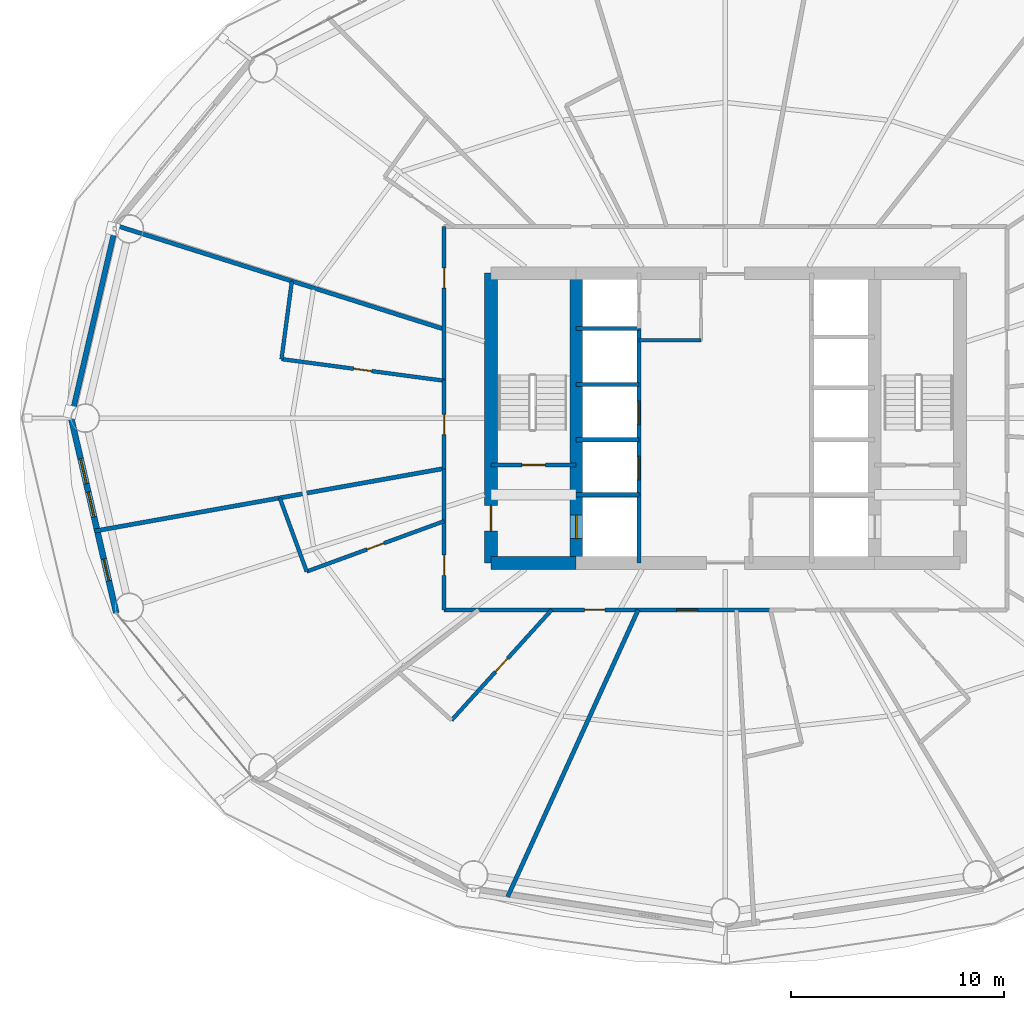
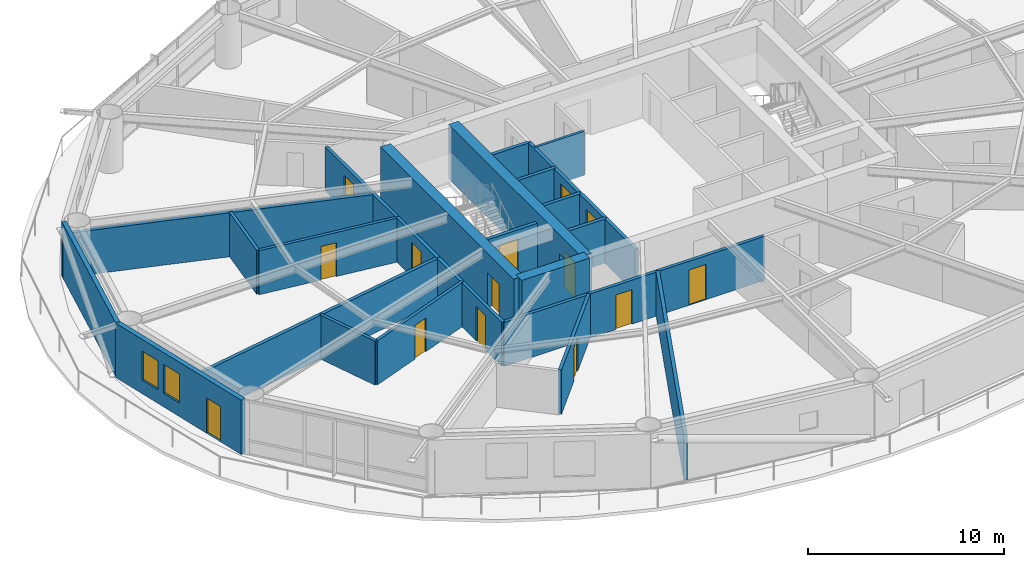
# One storey, part 20 of 26: 25 walls, 14 doors, 2 windows, 16 openings.
"""IFC4 building model written with IfcOpenShell, lengths in metres."""

from ifc_helpers import new_model, si_unit, direction, frame, frame_2d, origin, place, context, subcontext, project, spatial, rectangle, extrude, material, layer, layer_set, type_object, element, fill, save


model = new_model("IFC4")

# Units and contexts
model_context = context("Model", 3, precision=1e-05, world=origin(), true_north=direction((0.0, 1.0)))
body_context = subcontext(model_context, "Body", "Model", "MODEL_VIEW")
ifc_project = project(units=[si_unit("LENGTHUNIT", "METRE"), si_unit("AREAUNIT", "SQUARE_METRE"), si_unit("VOLUMEUNIT", "CUBIC_METRE"), si_unit("PLANEANGLEUNIT", "RADIAN"), si_unit("MASSUNIT", "GRAM", prefix="KILO")], contexts=[model_context])

# Site, building, storey
site_placement = place(None, origin())
site = spatial("IfcSite", under=ifc_project, at=site_placement, CompositionType="ELEMENT")
building_placement = place(site_placement, origin())
building = spatial("IfcBuilding", under=site, at=building_placement, Name="Sarneth Arch Tower", CompositionType="ELEMENT")
storey_placement = place(building_placement, frame((0.0, 0.0, 57.0)))
storey = spatial("IfcBuildingStorey", under=building, at=storey_placement, Name="L13", CompositionType="ELEMENT", Elevation=57.0)

# Wall
ifc_material_1 = material(Name="Concrete C60/75", Category="concrete")
ifc_layer_1 = layer(ifc_material_1, 0.60009765625)
ifc_layer_set_1 = layer_set([ifc_layer_1], Name="Concrete C60/75")
wall_type_1 = type_object("IfcWallType", Name="WALL-CORE-600", PredefinedType="SHEAR", material=ifc_layer_set_1)
wall_1_placement = place(storey_placement, frame((37.0, 35.199951171875, 0.0), z_axis=(0.0, 0.0, 1.0), x_axis=(1.0, 0.0, 0.0)))
element("IfcWall", 1, at=wall_1_placement, inside=storey, type_object=wall_type_1, Name="L13 Core shear wall S-W", PredefinedType="SHEAR", context=body_context, shape_type="SweptSolid", body=[
    extrude(rectangle(XDim=4.0, YDim=0.60009765625, at=frame_2d((2.0, 0.0))), origin(), (0.0, 0.0, 1.0), 3.3798828125),
])

# Wall, opening, door
wall_2_placement = place(storey_placement, frame((37.0, 35.199951171875, 0.0), z_axis=(0.0, 0.0, 1.0), x_axis=(0.0, 1.0, 0.0)))
wall_2 = element("IfcWall", 2, at=wall_2_placement, inside=storey, type_object=wall_type_1, Name="L13 Core shear wall W", PredefinedType="SHEAR", context=body_context, shape_type="SweptSolid", body=[
    extrude(rectangle(XDim=13.60009765625, YDim=0.60009765625, at=frame_2d((6.800048828125, 0.0))), origin(), (0.0, 0.0, 1.0), 3.3798828125),
])
opening_1_placement = place(wall_2_placement, frame((1.5, 0.0, 0.0)))
opening_1 = element("IfcOpeningElement", 3, at=opening_1_placement, cuts=wall_2, Name="Opening FD-02", PredefinedType="OPENING", context=body_context, shape_type="SweptSolid", body=[
    extrude(rectangle(XDim=1.199951171875, YDim=2.14990234375, at=frame_2d((0.60009765625, 1.074951171875))), frame((0.0, 0.31005859375, 0.0), z_axis=(0.0, -1.0, 0.0), x_axis=(1.0, 0.0, 0.0)), (0.0, 0.0, 1.0), 0.6201171875),
])
ifc_material_2 = material(Name="Galvanised Steel S275 fire door set", Category="steel")
door_type_1 = type_object("IfcDoorType", Name="DR-FD90-1200", OperationType="SINGLE_SWING_LEFT", PredefinedType="DOOR", material=ifc_material_2)
door_1_placement = place(opening_1_placement, origin())
door_1 = element("IfcDoor", 4, at=door_1_placement, inside=storey, type_object=door_type_1, Name="L13 Firefighting lobby 1 exit door", OperationType="SINGLE_SWING_LEFT", OverallHeight=2.14990234375, OverallWidth=1.199951171875, PredefinedType="DOOR", context=body_context, shape_type="SweptSolid", body=[
    extrude(rectangle(XDim=1.199951171875, YDim=2.14990234375, at=frame_2d((0.60009765625, 1.074951171875))), frame((0.0, 0.02490234375, 0.0), z_axis=(0.0, -1.0, 0.0), x_axis=(1.0, 0.0, 0.0)), (0.0, 0.0, 1.0), 0.050048828125),
])
fill(opening_1, door_1)

wall_3_placement = place(storey_placement, frame((41.0, 35.199951171875, 0.0), z_axis=(0.0, 0.0, 1.0), x_axis=(0.0, 1.0, 0.0)))
wall_3 = element("IfcWall", 5, at=wall_3_placement, inside=storey, type_object=wall_type_1, Name="L13 Core shear wall WEB-W", PredefinedType="SHEAR", context=body_context, shape_type="SweptSolid", body=[
    extrude(rectangle(XDim=13.60009765625, YDim=0.60009765625, at=frame_2d((6.800048828125, 0.0))), origin(), (0.0, 0.0, 1.0), 3.3798828125),
])
opening_2_placement = place(wall_3_placement, frame((1.14990234375, 0.0, 0.0)))
opening_2 = element("IfcOpeningElement", 6, at=opening_2_placement, cuts=wall_3, Name="Opening LD-1", PredefinedType="OPENING", context=body_context, shape_type="SweptSolid", body=[
    extrude(rectangle(XDim=1.10009765625, YDim=2.199951171875, at=frame_2d((0.550048828125, 1.10009765625))), frame((0.0, 0.31005859375, 0.0), z_axis=(0.0, -1.0, 0.0), x_axis=(1.0, 0.0, 0.0)), (0.0, 0.0, 1.0), 0.6201171875),
])
ifc_material_3 = material(Name="Brushed Stainless Steel 304 lift landing door", Category="steel")
door_type_2 = type_object("IfcDoorType", Name="DR-LIFT-SLIDE-1100", OperationType="SLIDING_TO_LEFT", PredefinedType="DOOR", material=ifc_material_3)
door_2_placement = place(opening_2_placement, origin())
door_2 = element("IfcDoor", 7, at=door_2_placement, inside=storey, type_object=door_type_2, Name="L13 Firefighting lift landing door FL-1", OperationType="SLIDING_TO_LEFT", OverallHeight=2.199951171875, OverallWidth=1.10009765625, PredefinedType="DOOR", context=body_context, shape_type="SweptSolid", body=[
    extrude(rectangle(XDim=1.10009765625, YDim=2.199951171875, at=frame_2d((0.550048828125, 1.10009765625))), frame((0.0, 0.02490234375, 0.0), z_axis=(0.0, -1.0, 0.0), x_axis=(1.0, 0.0, 0.0)), (0.0, 0.0, 1.0), 0.050048828125),
])
fill(opening_2, door_2)

ifc_material_4 = material(Name="Double steel-stud corridor fire wall", Category="steel")
ifc_layer_2 = layer(ifc_material_4, 0.18994140625)
ifc_layer_set_2 = layer_set([ifc_layer_2], Name="Double steel-stud corridor fire wall")
wall_type_2 = type_object("IfcWallType", Name="WALL-CORR-190", PredefinedType="PARTITIONING", material=ifc_layer_set_2)
wall_4_placement = place(storey_placement, frame((34.800048828125, 43.7216796875, 0.0), z_axis=(0.0, 0.0, 1.0), x_axis=(0.0, 1.0, 0.0)))
wall_4 = element("IfcWall", 8, at=wall_4_placement, inside=storey, type_object=wall_type_2, Name="L13 Interior partition W-L13-TP-008", PredefinedType="PARTITIONING", context=body_context, shape_type="SweptSolid", body=[
    extrude(rectangle(XDim=7.2783203125, YDim=0.18994140625, at=frame_2d((3.63916015625, 0.0))), origin(), (0.0, 0.0, 1.0), 2.739990234375),
])
opening_3_placement = place(wall_4_placement, frame((4.372314453125, 0.0, 0.0)))
opening_3 = element("IfcOpeningElement", 9, at=opening_3_placement, cuts=wall_4, Name="Opening FD-09", PredefinedType="OPENING", context=body_context, shape_type="SweptSolid", body=[
    extrude(rectangle(XDim=0.949951171875, YDim=2.14990234375, at=frame_2d((0.47509765625, 1.074951171875))), frame((0.0, 0.10498046875, 0.0), z_axis=(0.0, -1.0, 0.0), x_axis=(1.0, 0.0, 0.0)), (0.0, 0.0, 1.0), 0.2099609375),
])
ifc_material_5 = material(Name="Hardwood timber hotel entrance fire door", Category="wood")
door_type_3 = type_object("IfcDoorType", Name="DR-FD60-950", OperationType="SINGLE_SWING_RIGHT", PredefinedType="DOOR", material=ifc_material_5)
door_3_placement = place(opening_3_placement, origin())
door_3 = element("IfcDoor", 10, at=door_3_placement, inside=storey, type_object=door_type_3, Name="L13 Interior door DR-L13-KEY-05", OperationType="SINGLE_SWING_RIGHT", OverallHeight=2.14990234375, OverallWidth=0.949951171875, PredefinedType="DOOR", context=body_context, shape_type="SweptSolid", body=[
    extrude(rectangle(XDim=0.949951171875, YDim=2.14990234375, at=frame_2d((0.47509765625, 1.074951171875))), frame((0.0, 0.02490234375, 0.0), z_axis=(0.0, -1.0, 0.0), x_axis=(1.0, 0.0, 0.0)), (0.0, 0.0, 1.0), 0.050048828125),
])
fill(opening_3, door_3)

# Wall, openings, doors
wall_5_placement = place(storey_placement, frame((50.143798828125, 33.0, 0.0), z_axis=(0.0, 0.0, 1.0), x_axis=(-1.0, 0.0, 0.0)))
wall_5 = element("IfcWall", 11, at=wall_5_placement, inside=storey, type_object=wall_type_2, Name="L13 Interior partition W-L13-TP-018", PredefinedType="PARTITIONING", context=body_context, shape_type="SweptSolid", body=[
    extrude(rectangle(XDim=15.34375, YDim=0.18994140625, at=frame_2d((7.671875, 0.0))), origin(), (0.0, 0.0, 1.0), 2.739990234375),
])
opening_4_placement = place(wall_5_placement, frame((3.4384765625, 0.0, 0.0)))
opening_4 = element("IfcOpeningElement", 12, at=opening_4_placement, cuts=wall_5, Name="Opening FD-08", PredefinedType="OPENING", context=body_context, shape_type="SweptSolid", body=[
    extrude(rectangle(XDim=1.0, YDim=2.199951171875, at=frame_2d((0.5, 1.10009765625))), frame((0.0, 0.10498046875, 0.0), z_axis=(0.0, -1.0, 0.0), x_axis=(1.0, 0.0, 0.0)), (0.0, 0.0, 1.0), 0.2099609375),
])
opening_5_placement = place(wall_5_placement, frame((7.798095703125, 0.0, 0.0)))
opening_5 = element("IfcOpeningElement", 13, at=opening_5_placement, cuts=wall_5, Name="Opening FD-09", PredefinedType="OPENING", context=body_context, shape_type="SweptSolid", body=[
    extrude(rectangle(XDim=0.949951171875, YDim=2.14990234375, at=frame_2d((0.47509765625, 1.074951171875))), frame((0.0, 0.10498046875, 0.0), z_axis=(0.0, -1.0, 0.0), x_axis=(1.0, 0.0, 0.0)), (0.0, 0.0, 1.0), 0.2099609375),
])
ifc_material_6 = material(Name="Hardwood timber acoustic fire door", Category="wood")
door_type_4 = type_object("IfcDoorType", Name="DR-FD60-1000", OperationType="SINGLE_SWING_LEFT", PredefinedType="DOOR", material=ifc_material_6)
door_4_placement = place(opening_4_placement, origin())
door_4 = element("IfcDoor", 14, at=door_4_placement, inside=storey, type_object=door_type_4, Name="L13 Interior door DR-L13-AMN-09", OperationType="SINGLE_SWING_RIGHT", OverallHeight=2.199951171875, OverallWidth=1.0, PredefinedType="DOOR", context=body_context, shape_type="SweptSolid", body=[
    extrude(rectangle(XDim=1.0, YDim=2.199951171875, at=frame_2d((0.5, 1.10009765625))), frame((0.0, 0.02490234375, 0.0), z_axis=(0.0, -1.0, 0.0), x_axis=(1.0, 0.0, 0.0)), (0.0, 0.0, 1.0), 0.050048828125),
])
fill(opening_4, door_4)
door_5_placement = place(opening_5_placement, origin())
door_5 = element("IfcDoor", 15, at=door_5_placement, inside=storey, type_object=door_type_3, Name="L13 Interior door DR-L13-KEY-08", OperationType="SINGLE_SWING_RIGHT", OverallHeight=2.14990234375, OverallWidth=0.949951171875, PredefinedType="DOOR", context=body_context, shape_type="SweptSolid", body=[
    extrude(rectangle(XDim=0.949951171875, YDim=2.14990234375, at=frame_2d((0.47509765625, 1.074951171875))), frame((0.0, 0.02490234375, 0.0), z_axis=(0.0, -1.0, 0.0), x_axis=(1.0, 0.0, 0.0)), (0.0, 0.0, 1.0), 0.050048828125),
])
fill(opening_5, door_5)

# Wall, opening, door
wall_6_placement = place(storey_placement, frame((34.800048828125, 33.0, 0.0), z_axis=(0.0, 0.0, 1.0), x_axis=(0.0, 1.0, 0.0)))
wall_6 = element("IfcWall", 16, at=wall_6_placement, inside=storey, type_object=wall_type_2, Name="L13 Interior partition W-L13-TP-014", PredefinedType="PARTITIONING", context=body_context, shape_type="SweptSolid", body=[
    extrude(rectangle(XDim=6.66845703125, YDim=0.18994140625, at=frame_2d((3.334228515625, 0.0))), origin(), (0.0, 0.0, 1.0), 2.739990234375),
])
opening_6_placement = place(wall_6_placement, frame((1.623779296875, 0.0, 0.0)))
opening_6 = element("IfcOpeningElement", 17, at=opening_6_placement, cuts=wall_6, Name="Opening FD-09", PredefinedType="OPENING", context=body_context, shape_type="SweptSolid", body=[
    extrude(rectangle(XDim=0.949951171875, YDim=2.14990234375, at=frame_2d((0.47509765625, 1.074951171875))), frame((0.0, 0.10498046875, 0.0), z_axis=(0.0, -1.0, 0.0), x_axis=(1.0, 0.0, 0.0)), (0.0, 0.0, 1.0), 0.2099609375),
])
door_6_placement = place(opening_6_placement, origin())
door_6 = element("IfcDoor", 18, at=door_6_placement, inside=storey, type_object=door_type_3, Name="L13 Interior door DR-L13-KEY-07", OperationType="SINGLE_SWING_LEFT", OverallHeight=2.14990234375, OverallWidth=0.949951171875, PredefinedType="DOOR", context=body_context, shape_type="SweptSolid", body=[
    extrude(rectangle(XDim=0.949951171875, YDim=2.14990234375, at=frame_2d((0.47509765625, 1.074951171875))), frame((0.0, 0.02490234375, 0.0), z_axis=(0.0, -1.0, 0.0), x_axis=(1.0, 0.0, 0.0)), (0.0, 0.0, 1.0), 0.050048828125),
])
fill(opening_6, door_6)

wall_7_placement = place(storey_placement, frame((34.800048828125, 39.603515625, 0.0), z_axis=(0.0, 0.0, 1.0), x_axis=(0.0, 1.0, 0.0)))
wall_7 = element("IfcWall", 19, at=wall_7_placement, inside=storey, type_object=wall_type_2, Name="L13 Interior partition W-L13-TP-011", PredefinedType="PARTITIONING", context=body_context, shape_type="SweptSolid", body=[
    extrude(rectangle(XDim=4.182861328125, YDim=0.18994140625, at=frame_2d((2.09130859375, 0.0))), origin(), (0.0, 0.0, 1.0), 2.739990234375),
])
opening_7_placement = place(wall_7_placement, frame((1.616455078125, 0.0, 0.0)))
opening_7 = element("IfcOpeningElement", 20, at=opening_7_placement, cuts=wall_7, Name="Opening FD-09", PredefinedType="OPENING", context=body_context, shape_type="SweptSolid", body=[
    extrude(rectangle(XDim=0.949951171875, YDim=2.14990234375, at=frame_2d((0.47509765625, 1.074951171875))), frame((0.0, 0.10498046875, 0.0), z_axis=(0.0, -1.0, 0.0), x_axis=(1.0, 0.0, 0.0)), (0.0, 0.0, 1.0), 0.2099609375),
])
door_7_placement = place(opening_7_placement, origin())
door_7 = element("IfcDoor", 21, at=door_7_placement, inside=storey, type_object=door_type_3, Name="L13 Interior door DR-L13-KEY-06", OperationType="SINGLE_SWING_LEFT", OverallHeight=2.14990234375, OverallWidth=0.949951171875, PredefinedType="DOOR", context=body_context, shape_type="SweptSolid", body=[
    extrude(rectangle(XDim=0.949951171875, YDim=2.14990234375, at=frame_2d((0.47509765625, 1.074951171875))), frame((0.0, 0.02490234375, 0.0), z_axis=(0.0, -1.0, 0.0), x_axis=(1.0, 0.0, 0.0)), (0.0, 0.0, 1.0), 0.050048828125),
])
fill(opening_7, door_7)

# Wall
ifc_material_7 = material(Name="Extruded terracotta rainscreen on Concrete C40/50 backing", Category="masonry")
ifc_layer_3 = layer(ifc_material_7, 0.25)
ifc_layer_set_3 = layer_set([ifc_layer_3], Name="Extruded terracotta rainscreen on Concrete C40/50 backing")
wall_type_3 = type_object("IfcWallType", Name="WALL-EXT-SPAND-250", PredefinedType="SOLIDWALL", material=ifc_layer_set_3)
wall_8_placement = place(storey_placement, frame((19.4189453125, 51.138427734375, 0.0), z_axis=(0.0, 0.0, 1.0), x_axis=(-0.225454452941, -0.974253709076, 0.0)))
element("IfcWall", 22, at=wall_8_placement, inside=storey, type_object=wall_type_3, Name="L13 Terracotta perimeter wall 08", PredefinedType="SOLIDWALL", context=body_context, shape_type="SweptSolid", body=[
    extrude(rectangle(XDim=9.3798828125, YDim=0.25, at=frame_2d((4.68994140625, 0.0))), origin(), (0.0, 0.0, 1.0), 3.3798828125),
])

# Wall, openings, door, windows
ifc_material_8 = material(Name="Extruded terracotta rainscreen on Concrete C40/50 backing", Category="masonry")
ifc_layer_4 = layer(ifc_material_8, 0.280029296875)
ifc_layer_set_4 = layer_set([ifc_layer_4], Name="Extruded terracotta rainscreen on Concrete C40/50 backing")
wall_type_4 = type_object("IfcWallType", Name="WALL-EXT-TERRA-280", PredefinedType="SOLIDWALL", material=ifc_layer_set_4)
wall_9_placement = place(storey_placement, frame((17.30419921875, 42.0, 0.0), z_axis=(0.0, 0.0, 1.0), x_axis=(0.225454452941, -0.974253709076, 0.0)))
wall_9 = element("IfcWall", 23, at=wall_9_placement, inside=storey, type_object=wall_type_4, Name="L13 Terracotta perimeter wall 09", PredefinedType="SOLIDWALL", context=body_context, shape_type="SweptSolid", body=[
    extrude(rectangle(XDim=9.3798828125, YDim=0.280029296875, at=frame_2d((4.68994140625, 0.0))), origin(), (0.0, 0.0, 1.0), 3.3798828125),
])
opening_8_placement = place(wall_9_placement, frame((1.953369140625, 0.0, 0.85009765625)))
opening_8 = element("IfcOpeningElement", 24, at=opening_8_placement, cuts=wall_9, Name="Opening W-09", PredefinedType="OPENING", context=body_context, shape_type="SweptSolid", body=[
    extrude(rectangle(XDim=1.199951171875, YDim=1.800048828125, at=frame_2d((0.60009765625, 0.89990234375))), frame((0.0, 0.14990234375, 0.0), z_axis=(0.0, -1.0, 0.0), x_axis=(1.0, 0.0, 0.0)), (0.0, 0.0, 1.0), 0.300048828125),
])
opening_9_placement = place(wall_9_placement, frame((3.557861328125, 0.0, 0.85009765625)))
opening_9 = element("IfcOpeningElement", 25, at=opening_9_placement, cuts=wall_9, Name="Opening W-09", PredefinedType="OPENING", context=body_context, shape_type="SweptSolid", body=[
    extrude(rectangle(XDim=1.199951171875, YDim=1.800048828125, at=frame_2d((0.60009765625, 0.89990234375))), frame((0.0, 0.14990234375, 0.0), z_axis=(0.0, -1.0, 0.0), x_axis=(1.0, 0.0, 0.0)), (0.0, 0.0, 1.0), 0.300048828125),
])
opening_10_placement = place(wall_9_placement, frame((6.78515625, 0.0, 0.0)))
opening_10 = element("IfcOpeningElement", 26, at=opening_10_placement, cuts=wall_9, Name="Opening BD-4", PredefinedType="OPENING", context=body_context, shape_type="SweptSolid", body=[
    extrude(rectangle(XDim=1.050048828125, YDim=2.199951171875, at=frame_2d((0.52490234375, 1.10009765625))), frame((0.0, 0.14990234375, 0.0), z_axis=(0.0, -1.0, 0.0), x_axis=(1.0, 0.0, 0.0)), (0.0, 0.0, 1.0), 0.300048828125),
])
ifc_material_9 = material(Name="Thermally broken Aluminium 6063-T6 and laminated safety glass", Category="aluminium")
door_type_5 = type_object("IfcDoorType", Name="DR-BALC-GLZ-1050", OperationType="SINGLE_SWING_RIGHT", PredefinedType="DOOR", material=ifc_material_9)
door_8_placement = place(opening_10_placement, origin())
door_8 = element("IfcDoor", 27, at=door_8_placement, inside=storey, type_object=door_type_5, Name="L13 Balcony glazed door 09", OperationType="SINGLE_SWING_RIGHT", OverallHeight=2.199951171875, OverallWidth=1.050048828125, PredefinedType="DOOR", context=body_context, shape_type="SweptSolid", body=[
    extrude(rectangle(XDim=1.050048828125, YDim=2.199951171875, at=frame_2d((0.52490234375, 1.10009765625))), frame((0.0, 0.02490234375, 0.0), z_axis=(0.0, -1.0, 0.0), x_axis=(1.0, 0.0, 0.0)), (0.0, 0.0, 1.0), 0.050048828125),
])
fill(opening_10, door_8)
ifc_material_10 = material(Name="Thermally broken Aluminium 6063-T6 and low-e laminated IGU", Category="aluminium")
window_type = type_object("IfcWindowType", Name="WIN-TWR-1200x1800", PartitioningType="SINGLE_PANEL", PredefinedType="WINDOW", material=ifc_material_10)
window_1_placement = place(opening_8_placement, origin())
window_1 = element("IfcWindow", 28, at=window_1_placement, inside=storey, type_object=window_type, Name="L13 Exterior window 09A", OverallHeight=1.800048828125, OverallWidth=1.199951171875, PartitioningType="SINGLE_PANEL", PredefinedType="WINDOW", context=body_context, shape_type="SweptSolid", body=[
    extrude(rectangle(XDim=1.199951171875, YDim=1.800048828125, at=frame_2d((0.60009765625, 0.89990234375))), frame((0.0, 0.030029296875, 0.0), z_axis=(0.0, -1.0, 0.0), x_axis=(1.0, 0.0, 0.0)), (0.0, 0.0, 1.0), 0.06005859375),
])
fill(opening_8, window_1)
window_2_placement = place(opening_9_placement, origin())
window_2 = element("IfcWindow", 29, at=window_2_placement, inside=storey, type_object=window_type, Name="L13 Exterior window 09B", OverallHeight=1.800048828125, OverallWidth=1.199951171875, PartitioningType="SINGLE_PANEL", PredefinedType="WINDOW", context=body_context, shape_type="SweptSolid", body=[
    extrude(rectangle(XDim=1.199951171875, YDim=1.800048828125, at=frame_2d((0.60009765625, 0.89990234375))), frame((0.0, 0.030029296875, 0.0), z_axis=(0.0, -1.0, 0.0), x_axis=(1.0, 0.0, 0.0)), (0.0, 0.0, 1.0), 0.06005859375),
])
fill(opening_9, window_2)

# Wall
ifc_material_11 = material(Name="Acoustic gypsum stud partition", Category="gypsum")
ifc_layer_5 = layer(ifc_material_11, 0.14990234375)
ifc_layer_set_5 = layer_set([ifc_layer_5], Name="Acoustic gypsum stud partition")
wall_type_5 = type_object("IfcWallType", Name="WALL-PART-150", PredefinedType="PARTITIONING", material=ifc_layer_set_5)
wall_10_placement = place(storey_placement, frame((43.949951171875, 45.64990234375, 0.0), z_axis=(0.0, 0.0, 1.0), x_axis=(1.0, 0.0, 0.0)))
element("IfcWall", 30, at=wall_10_placement, inside=storey, type_object=wall_type_5, Name="L13 Interior partition W-L13-CSUP1-S", PredefinedType="PARTITIONING", context=body_context, shape_type="SweptSolid", body=[
    extrude(rectangle(XDim=2.900146484375, YDim=0.14990234375, at=frame_2d((1.4501953125, 0.0))), origin(), (0.0, 0.0, 1.0), 2.739990234375),
])

# Wall, opening, door
ifc_material_12 = material(Name="Moisture-resistant plumbing chase wall", Category="gypsum")
ifc_layer_6 = layer(ifc_material_12, 0.179931640625)
ifc_layer_set_6 = layer_set([ifc_layer_6], Name="Moisture-resistant plumbing chase wall")
wall_type_6 = type_object("IfcWallType", Name="WALL-PLUMB-180", PredefinedType="PLUMBINGWALL", material=ifc_layer_set_6)
wall_11_placement = place(storey_placement, frame((27.173095703125, 44.767578125, 0.0), z_axis=(0.0, 0.0, 1.0), x_axis=(0.991283239225, -0.131748015661, 0.0)))
wall_11 = element("IfcWall", 31, at=wall_11_placement, inside=storey, type_object=wall_type_6, Name="L13 Interior partition W-L13-TP-045", PredefinedType="PLUMBINGWALL", context=body_context, shape_type="SweptSolid", body=[
    extrude(rectangle(XDim=7.694091796875, YDim=0.179931640625, at=frame_2d((3.84716796875, 0.0))), origin(), (0.0, 0.0, 1.0), 2.739990234375),
])
opening_11_placement = place(wall_11_placement, frame((3.421875, 0.0, 0.0)))
opening_11 = element("IfcOpeningElement", 32, at=opening_11_placement, cuts=wall_11, Name="Opening ID-02", PredefinedType="OPENING", context=body_context, shape_type="SweptSolid", body=[
    extrude(rectangle(XDim=0.85009765625, YDim=2.10009765625, at=frame_2d((0.425048828125, 1.050048828125))), frame((0.0, 0.099853515625, 0.0), z_axis=(0.0, -1.0, 0.0), x_axis=(1.0, 0.0, 0.0)), (0.0, 0.0, 1.0), 0.199951171875),
])
ifc_material_13 = material(Name="Moisture-resistant bathroom timber door", Category="wood")
door_type_6 = type_object("IfcDoorType", Name="DR-INT-850", OperationType="SINGLE_SWING_RIGHT", PredefinedType="DOOR", material=ifc_material_13)
door_9_placement = place(opening_11_placement, origin())
door_9 = element("IfcDoor", 33, at=door_9_placement, inside=storey, type_object=door_type_6, Name="L13 Interior door DR-L13-ENS-06", OperationType="SINGLE_SWING_RIGHT", OverallHeight=2.10009765625, OverallWidth=0.85009765625, PredefinedType="DOOR", context=body_context, shape_type="SweptSolid", body=[
    extrude(rectangle(XDim=0.85009765625, YDim=2.10009765625, at=frame_2d((0.425048828125, 1.050048828125))), frame((0.0, 0.02490234375, 0.0), z_axis=(0.0, -1.0, 0.0), x_axis=(1.0, 0.0, 0.0)), (0.0, 0.0, 1.0), 0.050048828125),
])
fill(opening_11, door_9)

wall_12_placement = place(storey_placement, frame((35.15478515625, 27.826171875, 0.0), z_axis=(0.0, 0.0, 1.0), x_axis=(0.671533822983, 0.740973902773, 0.0)))
wall_12 = element("IfcWall", 34, at=wall_12_placement, inside=storey, type_object=wall_type_6, Name="L13 Interior partition W-L13-TP-053", PredefinedType="PLUMBINGWALL", context=body_context, shape_type="SweptSolid", body=[
    extrude(rectangle(XDim=6.982421875, YDim=0.179931640625, at=frame_2d((3.4912109375, 0.0))), origin(), (0.0, 0.0, 1.0), 2.739990234375),
])
opening_12_placement = place(wall_12_placement, frame((3.066162109375, 0.0, 0.0)))
opening_12 = element("IfcOpeningElement", 35, at=opening_12_placement, cuts=wall_12, Name="Opening ID-02", PredefinedType="OPENING", context=body_context, shape_type="SweptSolid", body=[
    extrude(rectangle(XDim=0.85009765625, YDim=2.10009765625, at=frame_2d((0.425048828125, 1.050048828125))), frame((0.0, 0.099853515625, 0.0), z_axis=(0.0, -1.0, 0.0), x_axis=(1.0, 0.0, 0.0)), (0.0, 0.0, 1.0), 0.199951171875),
])
door_10_placement = place(opening_12_placement, origin())
door_10 = element("IfcDoor", 36, at=door_10_placement, inside=storey, type_object=door_type_6, Name="L13 Interior door DR-L13-ENS-08", OperationType="SINGLE_SWING_RIGHT", OverallHeight=2.10009765625, OverallWidth=0.85009765625, PredefinedType="DOOR", context=body_context, shape_type="SweptSolid", body=[
    extrude(rectangle(XDim=0.85009765625, YDim=2.10009765625, at=frame_2d((0.425048828125, 1.050048828125))), frame((0.0, 0.02490234375, 0.0), z_axis=(0.0, -1.0, 0.0), x_axis=(1.0, 0.0, 0.0)), (0.0, 0.0, 1.0), 0.050048828125),
])
fill(opening_12, door_10)

wall_13_placement = place(storey_placement, frame((28.354248046875, 34.8017578125, 0.0), z_axis=(0.0, 0.0, 1.0), x_axis=(0.938953689431, 0.344043556986, 0.0)))
wall_13 = element("IfcWall", 37, at=wall_13_placement, inside=storey, type_object=wall_type_6, Name="L13 Interior partition W-L13-TP-049", PredefinedType="PLUMBINGWALL", context=body_context, shape_type="SweptSolid", body=[
    extrude(rectangle(XDim=6.864990234375, YDim=0.179931640625, at=frame_2d((3.4326171875, 0.0))), origin(), (0.0, 0.0, 1.0), 2.739990234375),
])
opening_13_placement = place(wall_13_placement, frame((3.00732421875, 0.0, 0.0)))
opening_13 = element("IfcOpeningElement", 38, at=opening_13_placement, cuts=wall_13, Name="Opening ID-02", PredefinedType="OPENING", context=body_context, shape_type="SweptSolid", body=[
    extrude(rectangle(XDim=0.85009765625, YDim=2.10009765625, at=frame_2d((0.425048828125, 1.050048828125))), frame((0.0, 0.099853515625, 0.0), z_axis=(0.0, -1.0, 0.0), x_axis=(1.0, 0.0, 0.0)), (0.0, 0.0, 1.0), 0.199951171875),
])
door_11_placement = place(opening_13_placement, origin())
door_11 = element("IfcDoor", 39, at=door_11_placement, inside=storey, type_object=door_type_6, Name="L13 Interior door DR-L13-ENS-07", OperationType="SINGLE_SWING_RIGHT", OverallHeight=2.10009765625, OverallWidth=0.85009765625, PredefinedType="DOOR", context=body_context, shape_type="SweptSolid", body=[
    extrude(rectangle(XDim=0.85009765625, YDim=2.10009765625, at=frame_2d((0.425048828125, 1.050048828125))), frame((0.0, 0.02490234375, 0.0), z_axis=(0.0, -1.0, 0.0), x_axis=(1.0, 0.0, 0.0)), (0.0, 0.0, 1.0), 0.050048828125),
])
fill(opening_13, door_11)

# Walls
wall_14_placement = place(storey_placement, frame((27.65966796875, 48.42822265625, 0.0), z_axis=(0.0, 0.0, 1.0), x_axis=(-0.131760975246, -0.991281516726, 0.0)))
element("IfcWall", 40, at=wall_14_placement, inside=storey, type_object=wall_type_6, Name="L13 Interior partition W-L13-TP-044", PredefinedType="PLUMBINGWALL", context=body_context, shape_type="SweptSolid", body=[
    extrude(rectangle(XDim=3.69287109375, YDim=0.179931640625, at=frame_2d((1.846435546875, 0.0))), origin(), (0.0, 0.0, 1.0), 2.739990234375),
])
wall_15_placement = place(storey_placement, frame((27.089111328125, 38.2548828125, 0.0), z_axis=(0.0, 0.0, 1.0), x_axis=(0.344012760863, -0.938964972916, 0.0)))
element("IfcWall", 41, at=wall_15_placement, inside=storey, type_object=wall_type_6, Name="L13 Interior partition W-L13-TP-048", PredefinedType="PLUMBINGWALL", context=body_context, shape_type="SweptSolid", body=[
    extrude(rectangle(XDim=3.677490234375, YDim=0.179931640625, at=frame_2d((1.8388671875, 0.0))), origin(), (0.0, 0.0, 1.0), 2.739990234375),
])

# Wall, opening, door
ifc_material_14 = material(Name="Aerated concrete blockwork C25/30", Category="masonry")
ifc_layer_7 = layer(ifc_material_14, 0.199951171875)
ifc_layer_set_7 = layer_set([ifc_layer_7], Name="Aerated concrete blockwork C25/30")
wall_type_7 = type_object("IfcWallType", Name="WALL-SHAFT-200", PredefinedType="SOLIDWALL", material=ifc_layer_set_7)
wall_16_placement = place(storey_placement, frame((37.0, 39.800048828125, 0.0), z_axis=(0.0, 0.0, 1.0), x_axis=(1.0, 0.0, 0.0)))
wall_16 = element("IfcWall", 42, at=wall_16_placement, inside=storey, type_object=wall_type_7, Name="L13 Interior partition W-L13-ST1-S", PredefinedType="SOLIDWALL", context=body_context, shape_type="SweptSolid", body=[
    extrude(rectangle(XDim=4.0, YDim=0.199951171875, at=frame_2d((2.0, 0.0))), origin(), (0.0, 0.0, 1.0), 2.739990234375),
])
opening_14_placement = place(wall_16_placement, frame((1.449951171875, 0.0, 0.0)))
opening_14 = element("IfcOpeningElement", 43, at=opening_14_placement, cuts=wall_16, Name="Opening FD-03", PredefinedType="OPENING", context=body_context, shape_type="SweptSolid", body=[
    extrude(rectangle(XDim=1.10009765625, YDim=2.14990234375, at=frame_2d((0.550048828125, 1.074951171875))), frame((0.0, 0.10986328125, 0.0), z_axis=(0.0, -1.0, 0.0), x_axis=(1.0, 0.0, 0.0)), (0.0, 0.0, 1.0), 0.219970703125),
])
ifc_material_15 = material(Name="Galvanised Steel S275 fire door set", Category="steel")
door_type_7 = type_object("IfcDoorType", Name="DR-FD90-1100", OperationType="SINGLE_SWING_LEFT", PredefinedType="DOOR", material=ifc_material_15)
door_12_placement = place(opening_14_placement, origin())
door_12 = element("IfcDoor", 44, at=door_12_placement, inside=storey, type_object=door_type_7, Name="L13 Interior door DR-L13-ST1", OperationType="SINGLE_SWING_LEFT", OverallHeight=2.14990234375, OverallWidth=1.10009765625, PredefinedType="DOOR", context=body_context, shape_type="SweptSolid", body=[
    extrude(rectangle(XDim=1.10009765625, YDim=2.14990234375, at=frame_2d((0.550048828125, 1.074951171875))), frame((0.0, 0.02490234375, 0.0), z_axis=(0.0, -1.0, 0.0), x_axis=(1.0, 0.0, 0.0)), (0.0, 0.0, 1.0), 0.050048828125),
])
fill(opening_14, door_12)

# Walls
wall_17_placement = place(storey_placement, frame((43.949951171875, 35.199951171875, 0.0), z_axis=(0.0, 0.0, 1.0), x_axis=(0.0, 1.0, 0.0)))
element("IfcWall", 45, at=wall_17_placement, inside=storey, type_object=wall_type_7, Name="L13 Interior partition W-L13-FL1-E", PredefinedType="SOLIDWALL", context=body_context, shape_type="SweptSolid", body=[
    extrude(rectangle(XDim=3.199951171875, YDim=0.199951171875, at=frame_2d((1.60009765625, 0.0))), origin(), (0.0, 0.0, 1.0), 2.739990234375),
])
for number, where, z_axis, x_axis, name in (
    (46, (41.0, 38.39990234375, 0.0), (0.0, 0.0, 1.0), (1.0, 0.0, 0.0), "L13 Interior partition W-L13-FL1-N"),
    (47, (41.0, 46.199951171875, 0.0), (0.0, 0.0, 1.0), (1.0, 0.0, 0.0), "L13 Interior partition W-L13-RISER-S"),
):
    element("IfcWall", number, at=place(storey_placement, frame(where, z_axis=z_axis, x_axis=x_axis)), inside=storey, type_object=wall_type_7, Name=name, PredefinedType="SOLIDWALL", context=body_context, shape_type="SweptSolid", body=[
        extrude(rectangle(XDim=2.949951171875, YDim=0.199951171875, at=frame_2d((1.47509765625, 0.0))), origin(), (0.0, 0.0, 1.0), 2.739990234375),
    ])

# Wall, openings, doors
wall_18_placement = place(storey_placement, frame((43.949951171875, 38.39990234375, 0.0), z_axis=(0.0, 0.0, 1.0), x_axis=(0.0, 1.0, 0.0)))
wall_18 = element("IfcWall", 48, at=wall_18_placement, inside=storey, type_object=wall_type_7, Name="L13 Interior partition W-L13-WESTBANK-FRONT", PredefinedType="SOLIDWALL", context=body_context, shape_type="SweptSolid", body=[
    extrude(rectangle(XDim=7.800048828125, YDim=0.199951171875, at=frame_2d((3.89990234375, 0.0))), origin(), (0.0, 0.0, 1.0), 2.739990234375),
])
opening_15_placement = place(wall_18_placement, frame((0.699951171875, 0.0, 0.0)))
opening_15 = element("IfcOpeningElement", 49, at=opening_15_placement, cuts=wall_18, Name="Opening LD-1", PredefinedType="OPENING", context=body_context, shape_type="SweptSolid", body=[
    extrude(rectangle(XDim=1.10009765625, YDim=2.199951171875, at=frame_2d((0.550048828125, 1.10009765625))), frame((0.0, 0.10986328125, 0.0), z_axis=(0.0, -1.0, 0.0), x_axis=(1.0, 0.0, 0.0)), (0.0, 0.0, 1.0), 0.219970703125),
])
opening_16_placement = place(wall_18_placement, frame((3.300048828125, 0.0, 0.0)))
opening_16 = element("IfcOpeningElement", 50, at=opening_16_placement, cuts=wall_18, Name="Opening LD-1", PredefinedType="OPENING", context=body_context, shape_type="SweptSolid", body=[
    extrude(rectangle(XDim=1.10009765625, YDim=2.199951171875, at=frame_2d((0.550048828125, 1.10009765625))), frame((0.0, 0.10986328125, 0.0), z_axis=(0.0, -1.0, 0.0), x_axis=(1.0, 0.0, 0.0)), (0.0, 0.0, 1.0), 0.219970703125),
])
door_13_placement = place(opening_15_placement, origin())
door_13 = element("IfcDoor", 51, at=door_13_placement, inside=storey, type_object=door_type_2, Name="L13 Lift landing door DR-L13-LD-PL1", OperationType="SLIDING_TO_LEFT", OverallHeight=2.199951171875, OverallWidth=1.10009765625, PredefinedType="DOOR", context=body_context, shape_type="SweptSolid", body=[
    extrude(rectangle(XDim=1.10009765625, YDim=2.199951171875, at=frame_2d((0.550048828125, 1.10009765625))), frame((0.0, 0.02490234375, 0.0), z_axis=(0.0, -1.0, 0.0), x_axis=(1.0, 0.0, 0.0)), (0.0, 0.0, 1.0), 0.050048828125),
])
fill(opening_15, door_13)
door_14_placement = place(opening_16_placement, origin())
door_14 = element("IfcDoor", 52, at=door_14_placement, inside=storey, type_object=door_type_2, Name="L13 Lift landing door DR-L13-LD-PL2", OperationType="SLIDING_TO_RIGHT", OverallHeight=2.199951171875, OverallWidth=1.10009765625, PredefinedType="DOOR", context=body_context, shape_type="SweptSolid", body=[
    extrude(rectangle(XDim=1.10009765625, YDim=2.199951171875, at=frame_2d((0.550048828125, 1.10009765625))), frame((0.0, 0.02490234375, 0.0), z_axis=(0.0, -1.0, 0.0), x_axis=(1.0, 0.0, 0.0)), (0.0, 0.0, 1.0), 0.050048828125),
])
fill(opening_16, door_14)

# Walls
for number, where, z_axis, x_axis, name in (
    (53, (41.0, 40.97998046875, 0.0), (0.0, 0.0, 1.0), (1.0, 0.0, 0.0), "L13 Interior partition W-L13-WB-DIV-4098"),
    (54, (41.0, 43.580078125, 0.0), (0.0, 0.0, 1.0), (1.0, 0.0, 0.0), "L13 Interior partition W-L13-WB-DIV-4358"),
):
    element("IfcWall", number, at=place(storey_placement, frame(where, z_axis=z_axis, x_axis=x_axis)), inside=storey, type_object=wall_type_7, Name=name, PredefinedType="SOLIDWALL", context=body_context, shape_type="SweptSolid", body=[
        extrude(rectangle(XDim=2.949951171875, YDim=0.199951171875, at=frame_2d((1.47509765625, 0.0))), origin(), (0.0, 0.0, 1.0), 2.739990234375),
    ])
ifc_material_16 = material(Name="Double steel-stud acoustic drywall", Category="steel")
ifc_layer_8 = layer(ifc_material_16, 0.199951171875)
ifc_layer_set_8 = layer_set([ifc_layer_8], Name="Double steel-stud acoustic drywall")
wall_type_8 = type_object("IfcWallType", Name="WALL-UNIT-200", PredefinedType="PARTITIONING", material=ifc_layer_set_8)
wall_19_placement = place(storey_placement, frame((37.782958984375, 19.541015625, 0.0), z_axis=(0.0, 0.0, 1.0), x_axis=(0.414087801136, 0.910236943301, 0.0)))
element("IfcWall", 55, at=wall_19_placement, inside=storey, type_object=wall_type_8, Name="L13 Interior partition W-L13-TP-054", PredefinedType="PARTITIONING", context=body_context, shape_type="SweptSolid", body=[
    extrude(rectangle(XDim=14.7861328125, YDim=0.199951171875, at=frame_2d((7.39306640625, 0.0))), origin(), (0.0, 0.0, 1.0), 2.739990234375),
])
wall_20_placement = place(storey_placement, frame((34.800048828125, 39.635986328125, 0.0), z_axis=(0.0, 0.0, 1.0), x_axis=(-0.984338200058, -0.176290407871, 0.0)))
element("IfcWall", 56, at=wall_20_placement, inside=storey, type_object=wall_type_8, Name="L13 Interior partition W-L13-TP-046", PredefinedType="PARTITIONING", context=body_context, shape_type="SweptSolid", body=[
    extrude(rectangle(XDim=16.653076171875, YDim=0.199951171875, at=frame_2d((8.32666015625, 0.0))), origin(), (0.0, 0.0, 1.0), 2.739990234375),
])
wall_21_placement = place(storey_placement, frame((34.800048828125, 46.171630859375, 0.0), z_axis=(0.0, 0.0, 1.0), x_axis=(-0.953511676516, 0.301356073023, 0.0)))
element("IfcWall", 57, at=wall_21_placement, inside=storey, type_object=wall_type_8, Name="L13 Interior partition W-L13-TP-042", PredefinedType="PARTITIONING", context=body_context, shape_type="SweptSolid", body=[
    extrude(rectangle(XDim=16.27490234375, YDim=0.199951171875, at=frame_2d((8.137451171875, 0.0))), origin(), (0.0, 0.0, 1.0), 2.739990234375),
])

save(model, "model.ifc")
